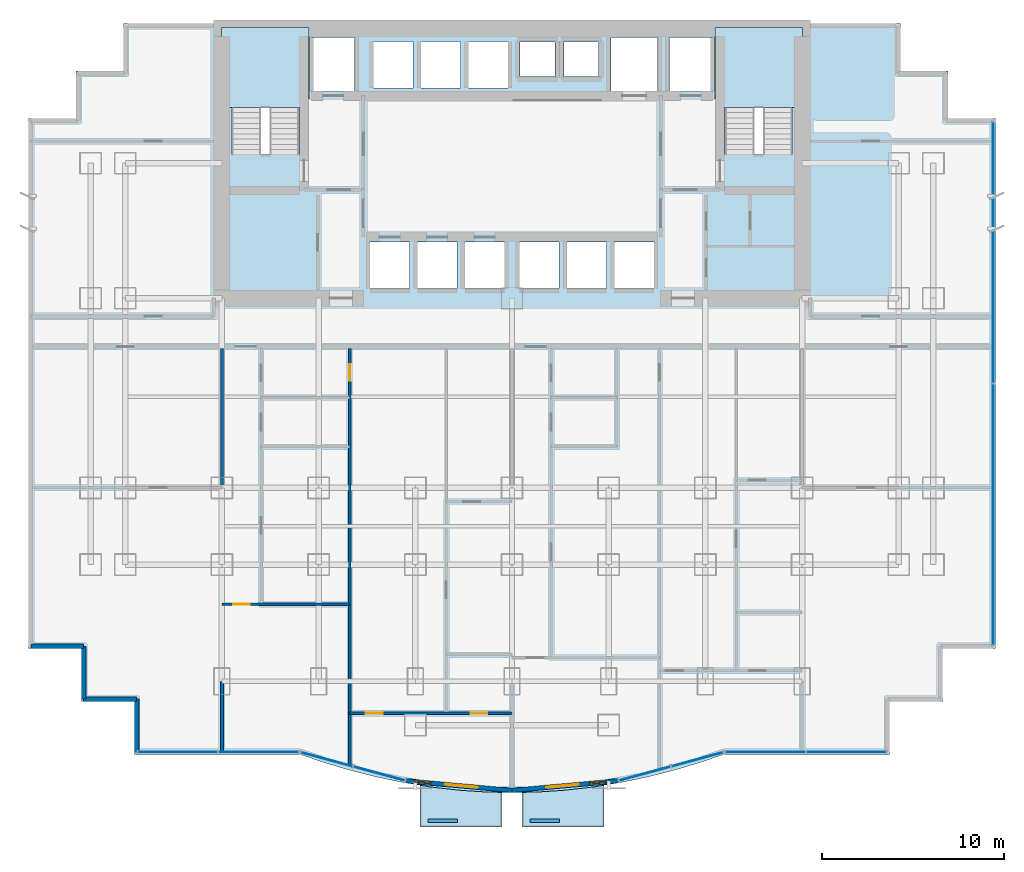
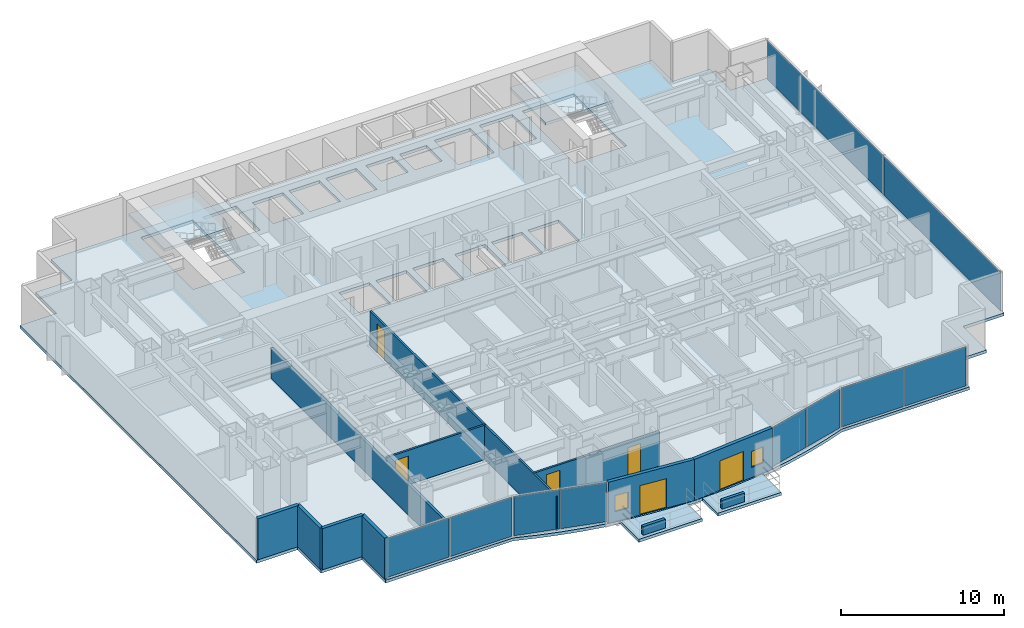
# One storey, part 6 of 12: 12 walls, 10 plates, 6 doors, 5 slabs, 2 windows, 8 openings, 7 elements without a shape of their own.
"""IFC4 building model written with IfcOpenShell, lengths in metres."""

from ifc_helpers import new_model, si_unit, direction, frame, frame_2d, origin, origin_2d, place, context, subcontext, project, spatial, polyline, rectangle, outline, extrude, source, transform, mapped, material, layer, layer_set, type_object, element, fill, aggregate, save


model = new_model("IFC4")

# Units and contexts
model_context = context("Model", 3, precision=1e-05, world=origin(), true_north=direction((0.0, 1.0)))
body_context = subcontext(model_context, "Body", "Model", "MODEL_VIEW")
ifc_project = project(units=[si_unit("LENGTHUNIT", "METRE"), si_unit("AREAUNIT", "SQUARE_METRE"), si_unit("VOLUMEUNIT", "CUBIC_METRE"), si_unit("PLANEANGLEUNIT", "RADIAN"), si_unit("MASSUNIT", "GRAM", prefix="KILO")], contexts=[model_context])

# Site, building, storey
site_placement = place(None, origin())
site = spatial("IfcSite", under=ifc_project, at=site_placement, CompositionType="ELEMENT")
building_placement = place(site_placement, origin())
building = spatial("IfcBuilding", under=site, at=building_placement, Name="Qianlan Lanfeng Residences", CompositionType="ELEMENT")
storey_placement = place(building_placement, frame((0.0, 0.0, 44.0)))
storey = spatial("IfcBuildingStorey", under=building, at=storey_placement, Name="L11", CompositionType="ELEMENT", Elevation=44.0)

# Slabs
ifc_material_1 = material(Name="Concrete C42", Category="concrete")
ifc_layer_1 = layer(ifc_material_1, 0.219970703125)
ifc_layer_set_1 = layer_set([ifc_layer_1], Name="Concrete C42")
slab_type_1 = type_object("IfcSlabType", Name="S-BAL-220", PredefinedType="FLOOR", material=ifc_layer_set_1)
slab_1_placement = place(storey_placement, frame((0.0, 0.0, -0.219970703125)))
element("IfcSlab", 1, at=slab_1_placement, inside=storey, type_object=slab_type_1, Name="L11 Planted Tree Balcony Slab SB-W", PredefinedType="FLOOR", context=body_context, shape_type="SweptSolid", body=[
    extrude(outline(polyline([(25.949951171875, -1.887939453125), (25.0439453125, -1.866943359375), (23.5869140625, -1.76904296875), (22.131103515625, -1.60498046875), (21.449951171875, -1.4970703125), (21.449951171875, -3.800048828125), (25.949951171875, -3.800048828125), (25.949951171875, -1.887939453125)])), origin(), (0.0, 0.0, 1.0), 0.219970703125),
])
slab_2_placement = place(storey_placement, frame((0.0, 0.0, -0.219970703125)))
element("IfcSlab", 2, at=slab_2_placement, inside=storey, type_object=slab_type_1, Name="L11 Planted Tree Balcony Slab SB-E", PredefinedType="FLOOR", context=body_context, shape_type="SweptSolid", body=[
    extrude(outline(polyline([(31.550048828125, -1.4970703125), (30.868896484375, -1.60498046875), (29.412109375, -1.76904296875), (27.9560546875, -1.866943359375), (27.050048828125, -1.887939453125), (27.050048828125, -3.800048828125), (31.550048828125, -3.800048828125), (31.550048828125, -1.4970703125)])), origin(), (0.0, 0.0, 1.0), 0.219970703125),
])
ifc_layer_2 = layer(ifc_material_1, 0.219970703125)
ifc_layer_set_2 = layer_set([ifc_layer_2], Name="Concrete C42")
slab_type_2 = type_object("IfcSlabType", Name="S-FL-220", PredefinedType="FLOOR", material=ifc_layer_set_2)
slab_3_placement = place(storey_placement, frame((0.0, 0.0, -0.219970703125)))
element("IfcSlab", 3, at=slab_3_placement, inside=storey, type_object=slab_type_2, Name="L11 Structural Floor Slab", PredefinedType="FLOOR", context=body_context, shape_type="SweptSolid", body=[
    extrude(outline(polyline([(0.0, 6.0), (2.89990234375, 6.0), (2.89990234375, 3.10009765625), (5.800048828125, 3.10009765625), (5.800048828125, 0.199951171875), (14.85009765625, 0.199951171875), (16.305908203125, -0.2919921875), (17.761962890625, -0.718994140625), (19.218994140625, -1.080078125), (20.675048828125, -1.375), (22.131103515625, -1.60498046875), (23.5869140625, -1.76904296875), (25.0439453125, -1.866943359375), (26.5, -1.89990234375), (27.9560546875, -1.866943359375), (29.412109375, -1.76904296875), (30.868896484375, -1.60498046875), (32.324951171875, -1.375), (33.781005859375, -1.080078125), (35.237060546875, -0.718994140625), (36.694091796875, -0.2919921875), (38.14990234375, 0.199951171875), (47.199951171875, 0.199951171875), (47.199951171875, 3.10009765625), (50.10009765625, 3.10009765625), (50.10009765625, 6.0), (53.0, 6.0), (53.0, 35.050048828125), (50.39990234375, 35.050048828125), (50.39990234375, 37.64990234375), (47.800048828125, 37.64990234375), (47.800048828125, 40.25), (5.199951171875, 40.25), (5.199951171875, 37.64990234375), (2.60009765625, 37.64990234375), (2.60009765625, 35.050048828125), (0.0, 35.050048828125), (0.0, 6.0)]), holes=[polyline([(11.139892578125, 33.080078125), (11.139892578125, 39.5), (14.820068359375, 39.5), (14.820068359375, 33.080078125), (11.139892578125, 33.080078125)]), polyline([(38.179931640625, 33.080078125), (38.179931640625, 39.5), (41.860107421875, 39.5), (41.860107421875, 33.080078125), (38.179931640625, 33.080078125)]), polyline([(15.52001953125, 36.52001953125), (15.52001953125, 39.47998046875), (17.8798828125, 39.47998046875), (17.8798828125, 36.52001953125), (15.52001953125, 36.52001953125)]), polyline([(35.1201171875, 36.52001953125), (35.1201171875, 39.47998046875), (37.47998046875, 39.47998046875), (37.47998046875, 36.52001953125), (35.1201171875, 36.52001953125)]), polyline([(31.919921875, 36.52001953125), (31.919921875, 39.47998046875), (34.47998046875, 39.47998046875), (34.47998046875, 36.52001953125), (31.919921875, 36.52001953125)]), polyline([(18.719970703125, 25.719970703125), (18.719970703125, 28.280029296875), (20.8798828125, 28.280029296875), (20.8798828125, 25.719970703125), (18.719970703125, 25.719970703125)]), polyline([(21.320068359375, 25.719970703125), (21.320068359375, 28.280029296875), (23.47998046875, 28.280029296875), (23.47998046875, 25.719970703125), (21.320068359375, 25.719970703125)]), polyline([(23.919921875, 25.719970703125), (23.919921875, 28.280029296875), (26.080078125, 28.280029296875), (26.080078125, 25.719970703125), (23.919921875, 25.719970703125)]), polyline([(26.919921875, 25.719970703125), (26.919921875, 28.280029296875), (29.080078125, 28.280029296875), (29.080078125, 25.719970703125), (26.919921875, 25.719970703125)]), polyline([(29.52001953125, 25.719970703125), (29.52001953125, 28.280029296875), (31.679931640625, 28.280029296875), (31.679931640625, 25.719970703125), (29.52001953125, 25.719970703125)]), polyline([(32.1201171875, 25.719970703125), (32.1201171875, 28.280029296875), (34.280029296875, 28.280029296875), (34.280029296875, 25.719970703125), (32.1201171875, 25.719970703125)]), polyline([(18.919921875, 36.719970703125), (18.919921875, 39.280029296875), (21.080078125, 39.280029296875), (21.080078125, 36.719970703125), (18.919921875, 36.719970703125)]), polyline([(21.52001953125, 36.719970703125), (21.52001953125, 39.280029296875), (23.679931640625, 39.280029296875), (23.679931640625, 36.719970703125), (21.52001953125, 36.719970703125)]), polyline([(24.1201171875, 36.719970703125), (24.1201171875, 39.280029296875), (26.280029296875, 39.280029296875), (26.280029296875, 36.719970703125), (24.1201171875, 36.719970703125)]), polyline([(26.949951171875, 37.35009765625), (26.949951171875, 39.25), (28.85009765625, 39.25), (28.85009765625, 37.35009765625), (26.949951171875, 37.35009765625)]), polyline([(29.35009765625, 37.35009765625), (29.35009765625, 39.25), (31.25, 39.25), (31.25, 37.35009765625), (29.35009765625, 37.35009765625)])]), origin(), (0.0, 0.0, 1.0), 0.219970703125),
])

# Stair, slab
stair_type = type_object("IfcStairType", Name="STR-MAIN", PredefinedType="HALF_TURN_STAIR", material=ifc_material_1)
stair_1_placement = place(storey_placement, origin())
stair_1 = element("IfcStair", 4, at=stair_1_placement, inside=storey, type_object=stair_type, Name="L11 Exit Stair ST-1", PredefinedType="HALF_TURN_STAIR")
ifc_layer_3 = layer(ifc_material_1, 0.179931640625)
ifc_layer_set_3 = layer_set([ifc_layer_3], Name="Concrete C42")
slab_type_3 = type_object("IfcSlabType", Name="S-LND-180", PredefinedType="LANDING", material=ifc_layer_set_3)
slab_4_placement = place(storey_placement, frame((0.0, 0.0, 1.449951171875)))
slab_4 = element("IfcSlab", 5, at=slab_4_placement, type_object=slab_type_3, Name="ST-1 landing 1", PredefinedType="LANDING", context=body_context, shape_type="SweptSolid", body=[
    extrude(outline(polyline([(10.580078125, 35.659912109375), (15.3798828125, 35.659912109375), (15.3798828125, 40.050048828125), (10.580078125, 40.050048828125), (10.580078125, 35.659912109375)])), origin(), (0.0, 0.0, 1.0), 0.199951171875),
])
aggregate(stair_1, [slab_4])

stair_2_placement = place(storey_placement, origin())
stair_2 = element("IfcStair", 6, at=stair_2_placement, inside=storey, type_object=stair_type, Name="L11 Exit Stair ST-2", PredefinedType="HALF_TURN_STAIR")
slab_5_placement = place(storey_placement, frame((0.0, 0.0, 1.449951171875)))
slab_5 = element("IfcSlab", 7, at=slab_5_placement, type_object=slab_type_3, Name="ST-2 landing 1", PredefinedType="LANDING", context=body_context, shape_type="SweptSolid", body=[
    extrude(outline(polyline([(37.6201171875, 35.659912109375), (42.419921875, 35.659912109375), (42.419921875, 40.050048828125), (37.6201171875, 40.050048828125), (37.6201171875, 35.659912109375)])), origin(), (0.0, 0.0, 1.0), 0.199951171875),
])
aggregate(stair_2, [slab_5])

# Curtain wall, plate
ifc_material_2 = material(Name="Anodised Bronze Aluminium 6063-T6", Category="aluminium")
ifc_layer_4 = layer(ifc_material_2, 0.219970703125)
ifc_layer_set_4 = layer_set([ifc_layer_4], Name="Anodised Bronze Aluminium 6063-T6")
curtain_wall_type = type_object("IfcCurtainWallType", Name="CW-02", PredefinedType="NOTDEFINED", material=ifc_layer_set_4)
curtain_wall_1_placement = place(storey_placement, origin())
curtain_wall_1 = element("IfcCurtainWall", 8, at=curtain_wall_1_placement, inside=storey, type_object=curtain_wall_type, Name="L11 Unitised Curtain Wall CWR-L11-02 (CW-02)", PredefinedType="NOTDEFINED")
ifc_material_3 = material(Name="Dark Bronze Tinted Insulated Glass", Category="glass")
ifc_layer_5 = layer(ifc_material_3, 0.0380859375)
ifc_layer_set_5 = layer_set([ifc_layer_5], Name="Dark Bronze Tinted Insulated Glass")
plate_type_1 = type_object("IfcPlateType", Name="PNL-GLZ-BRZ", PredefinedType="CURTAIN_PANEL", material=ifc_layer_set_5)
shared_shape_1 = source(origin(), body_context, "Body", "SweptSolid", [
    extrude(rectangle(XDim=2.89990234375, YDim=0.0380859375, at=origin_2d()), origin(), (0.0, 0.0, 1.0), 2.922119140625),
])
plate_1_placement = place(storey_placement, frame((16.345703125, -0.07958984375, 0.0791015625), z_axis=(0.0, 0.0, 1.0), x_axis=(0.9652627173, -0.261281240412, 0.0)))
plate_1 = element("IfcPlate", 9, at=plate_1_placement, type_object=plate_type_1, Name="CWR-L11-02 Curtain Panel 1", PredefinedType="CURTAIN_PANEL", context=body_context, shape_type="MappedRepresentation", body=[
    mapped(shared_shape_1, transform((0.0, 0.0, 0.0), scale=1.0)),
])

# Curtain wall, plates
curtain_wall_2_placement = place(storey_placement, origin())
curtain_wall_2 = element("IfcCurtainWall", 10, at=curtain_wall_2_placement, inside=storey, type_object=curtain_wall_type, Name="L11 Unitised Curtain Wall CWR-L11-03 (CW-02)", PredefinedType="NOTDEFINED")
plate_2_placement = place(storey_placement, frame((33.77978515625, -0.857421875, 0.0791015625), z_axis=(0.0, 0.0, 1.0), x_axis=(0.9652627173, 0.261281240412, 0.0)))
plate_2 = element("IfcPlate", 11, at=plate_2_placement, type_object=plate_type_1, Name="CWR-L11-03 Curtain Panel 1", PredefinedType="CURTAIN_PANEL", context=body_context, shape_type="MappedRepresentation", body=[
    mapped(shared_shape_1, transform((0.0, 0.0, 0.0), scale=1.0)),
])
plate_3_placement = place(storey_placement, frame((36.654296875, -0.07958984375, 0.0791015625), z_axis=(0.0, 0.0, 1.0), x_axis=(0.9652627173, 0.261281240412, 0.0)))
plate_3 = element("IfcPlate", 12, at=plate_3_placement, type_object=plate_type_1, Name="CWR-L11-03 Curtain Panel 2", PredefinedType="CURTAIN_PANEL", context=body_context, shape_type="MappedRepresentation", body=[
    mapped(shared_shape_1, transform((0.0, 0.0, 0.0), scale=1.0)),
])
aggregate(curtain_wall_2, [plate_2, plate_3])

# Plate
ifc_material_4 = material(Name="Perforated Anodised Bronze Aluminium Panel", Category="aluminium")
ifc_layer_6 = layer(ifc_material_4, 0.0419921875)
ifc_layer_set_6 = layer_set([ifc_layer_6], Name="Perforated Anodised Bronze Aluminium Panel")
plate_type_2 = type_object("IfcPlateType", Name="PNL-PRF-BRZ", PredefinedType="CURTAIN_PANEL", material=ifc_layer_set_6)
shared_shape_2 = source(origin(), body_context, "Body", "SweptSolid", [
    extrude(rectangle(XDim=2.89990234375, YDim=0.0419921875, at=origin_2d()), origin(), (0.0, 0.0, 1.0), 2.922119140625),
])
plate_4_placement = place(storey_placement, frame((19.22021484375, -0.857421875, 0.0791015625), z_axis=(0.0, 0.0, 1.0), x_axis=(0.9652627173, -0.261281240412, 0.0)))
plate_4 = element("IfcPlate", 13, at=plate_4_placement, type_object=plate_type_2, Name="CWR-L11-02 Curtain Panel 2", PredefinedType="CURTAIN_PANEL", context=body_context, shape_type="MappedRepresentation", body=[
    mapped(shared_shape_2, transform((0.0, 0.0, 0.0), scale=1.0)),
])

aggregate(curtain_wall_1, [plate_1, plate_4])

# Curtain wall, plates
curtain_wall_3_placement = place(storey_placement, origin())
curtain_wall_3 = element("IfcCurtainWall", 14, at=curtain_wall_3_placement, inside=storey, type_object=curtain_wall_type, Name="L11 Unitised Curtain Wall CWR-L11-01 (CW-02)", PredefinedType="NOTDEFINED")
shared_shape_3 = source(origin(), body_context, "Body", "SweptSolid", [
    extrude(rectangle(XDim=4.35693359375, YDim=0.0380859375, at=origin_2d()), origin(), (0.0, 0.0, 1.0), 2.922119140625),
])
plate_5_placement = place(storey_placement, frame((8.177490234375, 0.320068359375, 0.0791015625), z_axis=(0.0, 0.0, 1.0), x_axis=(1.0, 0.0, 0.0)))
plate_5 = element("IfcPlate", 15, at=plate_5_placement, type_object=plate_type_1, Name="CWR-L11-01 Curtain Panel 1", PredefinedType="CURTAIN_PANEL", context=body_context, shape_type="MappedRepresentation", body=[
    mapped(shared_shape_3, transform((0.0, 0.0, 0.0), scale=1.0)),
])
plate_6_placement = place(storey_placement, frame((12.612548828125, 0.320068359375, 0.0791015625), z_axis=(0.0, 0.0, 1.0), x_axis=(1.0, 0.0, 0.0)))
plate_6 = element("IfcPlate", 16, at=plate_6_placement, type_object=plate_type_1, Name="CWR-L11-01 Curtain Panel 2", PredefinedType="CURTAIN_PANEL", context=body_context, shape_type="MappedRepresentation", body=[
    mapped(shared_shape_3, transform((0.0, 0.0, 0.0), scale=1.0)),
])
aggregate(curtain_wall_3, [plate_5, plate_6])

curtain_wall_4_placement = place(storey_placement, origin())
curtain_wall_4 = element("IfcCurtainWall", 17, at=curtain_wall_4_placement, inside=storey, type_object=curtain_wall_type, Name="L11 Unitised Curtain Wall CWR-L11-04 (CW-02)", PredefinedType="NOTDEFINED")
plate_7_placement = place(storey_placement, frame((40.387451171875, 0.320068359375, 0.0791015625), z_axis=(0.0, 0.0, 1.0), x_axis=(1.0, 0.0, 0.0)))
plate_7 = element("IfcPlate", 18, at=plate_7_placement, type_object=plate_type_1, Name="CWR-L11-04 Curtain Panel 1", PredefinedType="CURTAIN_PANEL", context=body_context, shape_type="MappedRepresentation", body=[
    mapped(shared_shape_3, transform((0.0, 0.0, 0.0), scale=1.0)),
])
shared_shape_4 = source(origin(), body_context, "Body", "SweptSolid", [
    extrude(rectangle(XDim=4.35693359375, YDim=0.0419921875, at=origin_2d()), origin(), (0.0, 0.0, 1.0), 2.922119140625),
])
plate_8_placement = place(storey_placement, frame((44.822509765625, 0.320068359375, 0.0791015625), z_axis=(0.0, 0.0, 1.0), x_axis=(1.0, 0.0, 0.0)))
plate_8 = element("IfcPlate", 19, at=plate_8_placement, type_object=plate_type_2, Name="CWR-L11-04 Curtain Panel 2", PredefinedType="CURTAIN_PANEL", context=body_context, shape_type="MappedRepresentation", body=[
    mapped(shared_shape_4, transform((0.0, 0.0, 0.0), scale=1.0)),
])
aggregate(curtain_wall_4, [plate_7, plate_8])

curtain_wall_5_placement = place(storey_placement, origin())
curtain_wall_5 = element("IfcCurtainWall", 20, at=curtain_wall_5_placement, inside=storey, type_object=curtain_wall_type, Name="L11 Unitised Curtain Wall CWR-L11-05 (CW-02)", PredefinedType="NOTDEFINED")
shared_shape_5 = source(origin(), body_context, "Body", "SweptSolid", [
    extrude(rectangle(XDim=14.287109375, YDim=0.0380859375, at=origin_2d()), origin(), (0.0, 0.0, 1.0), 2.922119140625),
])
plate_9_placement = place(storey_placement, frame((52.8798828125, 13.342529296875, 0.0791015625), z_axis=(0.0, 0.0, 1.0), x_axis=(0.0, 1.0, 0.0)))
plate_9 = element("IfcPlate", 21, at=plate_9_placement, type_object=plate_type_1, Name="CWR-L11-05 Curtain Panel 1", PredefinedType="CURTAIN_PANEL", context=body_context, shape_type="MappedRepresentation", body=[
    mapped(shared_shape_5, transform((0.0, 0.0, 0.0), scale=1.0)),
])
plate_10_placement = place(storey_placement, frame((52.8798828125, 27.70751953125, 0.0791015625), z_axis=(0.0, 0.0, 1.0), x_axis=(0.0, 1.0, 0.0)))
plate_10 = element("IfcPlate", 22, at=plate_10_placement, type_object=plate_type_1, Name="CWR-L11-05 Curtain Panel 2", PredefinedType="CURTAIN_PANEL", context=body_context, shape_type="MappedRepresentation", body=[
    mapped(shared_shape_5, transform((0.0, 0.0, 0.0), scale=1.0)),
])
aggregate(curtain_wall_5, [plate_9, plate_10])

# Walls
ifc_layer_7 = layer(ifc_material_1, 0.239990234375)
ifc_layer_set_7 = layer_set([ifc_layer_7], Name="Concrete C42")
wall_type_1 = type_object("IfcWallType", Name="EW-240", PredefinedType="SOLIDWALL", material=ifc_layer_set_7)
wall_1_placement = place(storey_placement, frame((0.1201171875, 6.1201171875, 0.0), z_axis=(0.0, 0.0, 1.0), x_axis=(1.0, 0.0, 0.0)))
element("IfcWall", 23, at=wall_1_placement, inside=storey, type_object=wall_type_1, Name="L11 Exterior Facade Spandrel Wall 1", PredefinedType="SOLIDWALL", context=body_context, shape_type="SweptSolid", body=[
    extrude(rectangle(XDim=2.89990234375, YDim=0.239990234375, at=frame_2d((1.449951171875, 0.0))), origin(), (0.0, 0.0, 1.0), 3.080078125),
])
wall_2_placement = place(storey_placement, frame((3.02001953125, 6.1201171875, 0.0), z_axis=(0.0, 0.0, 1.0), x_axis=(0.0, -1.0, 0.0)))
element("IfcWall", 24, at=wall_2_placement, inside=storey, type_object=wall_type_1, Name="L11 Exterior Facade Spandrel Wall 2", PredefinedType="SOLIDWALL", context=body_context, shape_type="SweptSolid", body=[
    extrude(rectangle(XDim=2.900146484375, YDim=0.239990234375, at=frame_2d((1.4501953125, 0.0))), origin(), (0.0, 0.0, 1.0), 3.080078125),
])
for number, where, z_axis, x_axis, name in (
    (25, (3.02001953125, 3.219970703125, 0.0), (0.0, 0.0, 1.0), (1.0, 0.0, 0.0), "L11 Exterior Facade Spandrel Wall 3"),
    (26, (5.919921875, 3.219970703125, 0.0), (0.0, 0.0, 1.0), (0.0, -1.0, 0.0), "L11 Exterior Facade Spandrel Wall 4"),
):
    element("IfcWall", number, at=place(storey_placement, frame(where, z_axis=z_axis, x_axis=x_axis)), inside=storey, type_object=wall_type_1, Name=name, PredefinedType="SOLIDWALL", context=body_context, shape_type="SweptSolid", body=[
        extrude(rectangle(XDim=2.89990234375, YDim=0.239990234375, at=frame_2d((1.449951171875, 0.0))), origin(), (0.0, 0.0, 1.0), 3.080078125),
    ])

# Wall, openings, door, window
wall_3_placement = place(storey_placement, frame((20.696044921875, -1.257080078125, 0.0), z_axis=(0.0, 0.0, 1.0), x_axis=(0.995965344947, -0.089738685436, 0.0)))
wall_3 = element("IfcWall", 27, at=wall_3_placement, inside=storey, type_object=wall_type_1, Name="L11 Terrace/Balcony Access Exterior Wall 5", PredefinedType="SOLIDWALL", context=body_context, shape_type="SweptSolid", body=[
    extrude(rectangle(XDim=5.827392578125, YDim=0.239990234375, at=frame_2d((2.91357421875, 0.0))), origin(), (0.0, 0.0, 1.0), 3.080078125),
])
opening_1_placement = place(wall_3_placement, frame((2.14794921875, 0.0, 0.0)))
opening_1 = element("IfcOpeningElement", 28, at=opening_1_placement, cuts=wall_3, Name="Opening L11-D-SB-W", PredefinedType="OPENING", context=body_context, shape_type="SweptSolid", body=[
    extrude(rectangle(XDim=1.800048828125, YDim=2.199951171875, at=frame_2d((0.89990234375, 1.10009765625))), frame((0.0, 0.1298828125, 0.0), z_axis=(0.0, -1.0, 0.0), x_axis=(1.0, 0.0, 0.0)), (0.0, 0.0, 1.0), 0.260009765625),
])
opening_2_placement = place(wall_3_placement, frame((0.449951171875, 0.0, 0.75)))
opening_2 = element("IfcOpeningElement", 29, at=opening_2_placement, cuts=wall_3, Name="Opening W-04", PredefinedType="OPENING", context=body_context, shape_type="SweptSolid", body=[
    extrude(rectangle(XDim=0.89990234375, YDim=1.199951171875, at=frame_2d((0.449951171875, 0.60009765625))), frame((0.0, 0.1298828125, 0.0), z_axis=(0.0, -1.0, 0.0), x_axis=(1.0, 0.0, 0.0)), (0.0, 0.0, 1.0), 0.260009765625),
])
ifc_material_5 = material(Name="Anodised Bronze Aluminium Framed Glass", Category="aluminium")
door_type_1 = type_object("IfcDoorType", Name="DT-BAL1", OperationType="NOTDEFINED", PredefinedType="DOOR", material=ifc_material_5)
door_1_placement = place(opening_1_placement, frame((1.800048828125, 0.0, 0.0), z_axis=(0.0, 0.0, 1.0), x_axis=(-1.0, 0.0, 0.0)))
door_1 = element("IfcDoor", 30, at=door_1_placement, inside=storey, type_object=door_type_1, Name="L11 Exterior Access Door SB-W", OperationType="DOUBLE_DOOR_SLIDING", OverallHeight=2.199951171875, OverallWidth=1.800048828125, PredefinedType="DOOR", context=body_context, shape_type="SweptSolid", body=[
    extrude(rectangle(XDim=1.800048828125, YDim=2.199951171875, at=frame_2d((0.89990234375, 1.10009765625))), frame((0.0, 0.02490234375, 0.0), z_axis=(0.0, -1.0, 0.0), x_axis=(1.0, 0.0, 0.0)), (0.0, 0.0, 1.0), 0.050048828125),
])
fill(opening_1, door_1)
ifc_material_6 = material(Name="Anodised Bronze Aluminium Framed Double Glazing", Category="aluminium")
window_type = type_object("IfcWindowType", Name="W-04", PartitioningType="SINGLE_PANEL", PredefinedType="WINDOW", material=ifc_material_6)
window_1_placement = place(opening_2_placement, origin())
window_1 = element("IfcWindow", 31, at=window_1_placement, inside=storey, type_object=window_type, Name="L11 Exterior Window W-04", OverallHeight=1.199951171875, OverallWidth=0.89990234375, PartitioningType="SINGLE_PANEL", PredefinedType="WINDOW", context=body_context, shape_type="SweptSolid", body=[
    extrude(rectangle(XDim=0.89990234375, YDim=1.199951171875, at=frame_2d((0.449951171875, 0.60009765625))), frame((0.0, 0.030029296875, 0.0), z_axis=(0.0, -1.0, 0.0), x_axis=(1.0, 0.0, 0.0)), (0.0, 0.0, 1.0), 0.06005859375),
])
fill(opening_2, window_1)

wall_4_placement = place(storey_placement, frame((26.5, -1.780029296875, 0.0), z_axis=(0.0, 0.0, 1.0), x_axis=(0.995965344947, 0.089738685436, 0.0)))
wall_4 = element("IfcWall", 32, at=wall_4_placement, inside=storey, type_object=wall_type_1, Name="L11 Terrace/Balcony Access Exterior Wall 6", PredefinedType="SOLIDWALL", context=body_context, shape_type="SweptSolid", body=[
    extrude(rectangle(XDim=5.827392578125, YDim=0.239990234375, at=frame_2d((2.91357421875, 0.0))), origin(), (0.0, 0.0, 1.0), 3.080078125),
])
opening_3_placement = place(wall_4_placement, frame((1.8798828125, 0.0, 0.0)))
opening_3 = element("IfcOpeningElement", 33, at=opening_3_placement, cuts=wall_4, Name="Opening L11-D-SB-E", PredefinedType="OPENING", context=body_context, shape_type="SweptSolid", body=[
    extrude(rectangle(XDim=1.800048828125, YDim=2.199951171875, at=frame_2d((0.89990234375, 1.10009765625))), frame((0.0, 0.1298828125, 0.0), z_axis=(0.0, -1.0, 0.0), x_axis=(1.0, 0.0, 0.0)), (0.0, 0.0, 1.0), 0.260009765625),
])
opening_4_placement = place(wall_4_placement, frame((4.263916015625, 0.0, 0.75)))
opening_4 = element("IfcOpeningElement", 34, at=opening_4_placement, cuts=wall_4, Name="Opening W-04", PredefinedType="OPENING", context=body_context, shape_type="SweptSolid", body=[
    extrude(rectangle(XDim=0.89990234375, YDim=1.199951171875, at=frame_2d((0.449951171875, 0.60009765625))), frame((0.0, 0.1298828125, 0.0), z_axis=(0.0, -1.0, 0.0), x_axis=(1.0, 0.0, 0.0)), (0.0, 0.0, 1.0), 0.260009765625),
])
door_2_placement = place(opening_3_placement, frame((1.800048828125, 0.0, 0.0), z_axis=(0.0, 0.0, 1.0), x_axis=(-1.0, 0.0, 0.0)))
door_2 = element("IfcDoor", 35, at=door_2_placement, inside=storey, type_object=door_type_1, Name="L11 Exterior Access Door SB-E", OperationType="DOUBLE_DOOR_SLIDING", OverallHeight=2.199951171875, OverallWidth=1.800048828125, PredefinedType="DOOR", context=body_context, shape_type="SweptSolid", body=[
    extrude(rectangle(XDim=1.800048828125, YDim=2.199951171875, at=frame_2d((0.89990234375, 1.10009765625))), frame((0.0, 0.02490234375, 0.0), z_axis=(0.0, -1.0, 0.0), x_axis=(1.0, 0.0, 0.0)), (0.0, 0.0, 1.0), 0.050048828125),
])
fill(opening_3, door_2)
window_2_placement = place(opening_4_placement, origin())
window_2 = element("IfcWindow", 36, at=window_2_placement, inside=storey, type_object=window_type, Name="L11 Exterior Window W-04", OverallHeight=1.199951171875, OverallWidth=0.89990234375, PartitioningType="SINGLE_PANEL", PredefinedType="WINDOW", context=body_context, shape_type="SweptSolid", body=[
    extrude(rectangle(XDim=0.89990234375, YDim=1.199951171875, at=frame_2d((0.449951171875, 0.60009765625))), frame((0.0, 0.030029296875, 0.0), z_axis=(0.0, -1.0, 0.0), x_axis=(1.0, 0.0, 0.0)), (0.0, 0.0, 1.0), 0.06005859375),
])
fill(opening_4, window_2)

# Walls
ifc_layer_8 = layer(ifc_material_1, 0.199951171875)
ifc_layer_set_8 = layer_set([ifc_layer_8], Name="Concrete C42")
wall_type_2 = type_object("IfcWallType", Name="PL-TREE-200", PredefinedType="PARAPET", material=ifc_layer_set_8)
for number, where, z_axis, x_axis, name in (
    (37, (21.89990234375, -3.449951171875, 0.0), (0.0, 0.0, 1.0), (1.0, 0.0, 0.0), "L11 Balcony Tree Planter Curb SB-W"),
    (38, (27.5, -3.449951171875, 0.0), (0.0, 0.0, 1.0), (1.0, 0.0, 0.0), "L11 Balcony Tree Planter Curb SB-E"),
):
    element("IfcWall", number, at=place(storey_placement, frame(where, z_axis=z_axis, x_axis=x_axis)), inside=storey, type_object=wall_type_2, Name=name, PredefinedType="PARAPET", context=body_context, shape_type="SweptSolid", body=[
        extrude(rectangle(XDim=1.60009765625, YDim=0.199951171875, at=frame_2d((0.800048828125, 0.0))), origin(), (0.0, 0.0, 1.0), 0.64990234375),
    ])

# Wall, opening, door
ifc_material_7 = material(Name="Moisture-Resistant Gypsum Partition 135 mm")
ifc_layer_9 = layer(ifc_material_7, 0.135009765625)
ifc_layer_set_9 = layer_set([ifc_layer_9], Name="Moisture-Resistant Gypsum Partition 135 mm")
wall_type_3 = type_object("IfcWallType", Name="PW-135", PredefinedType="PARTITIONING", material=ifc_layer_set_9)
wall_5_placement = place(storey_placement, frame((17.60009765625, -0.44189453125, 0.0), z_axis=(0.0, 0.0, 1.0), x_axis=(0.0, 1.0, 0.0)))
wall_5 = element("IfcWall", 39, at=wall_5_placement, inside=storey, type_object=wall_type_3, Name="L11 U01 Bay Spine Wall 1", PredefinedType="PARTITIONING", context=body_context, shape_type="SweptSolid", body=[
    extrude(rectangle(XDim=22.891845703125, YDim=0.135009765625, at=frame_2d((11.44580078125, 0.0))), origin(), (0.0, 0.0, 1.0), 2.570068359375),
])
opening_5_placement = place(wall_5_placement, frame((21.10693359375, 0.0, 0.0)))
opening_5 = element("IfcOpeningElement", 40, at=opening_5_placement, cuts=wall_5, Name="Opening L11-D16", PredefinedType="OPENING", context=body_context, shape_type="SweptSolid", body=[
    extrude(rectangle(XDim=0.919921875, YDim=2.14990234375, at=frame_2d((0.4599609375, 1.074951171875))), frame((0.0, 0.07763671875, 0.0), z_axis=(0.0, -1.0, 0.0), x_axis=(1.0, 0.0, 0.0)), (0.0, 0.0, 1.0), 0.155029296875),
])
ifc_material_8 = material(Name="Glazed Timber Kitchen/Study Door", Category="wood")
door_type_2 = type_object("IfcDoorType", Name="DT-INT", OperationType="NOTDEFINED", PredefinedType="DOOR", material=ifc_material_8)
door_3_placement = place(opening_5_placement, origin())
door_3 = element("IfcDoor", 41, at=door_3_placement, inside=storey, type_object=door_type_2, Name="L11 U01 Internal Hall Door L11-D16 (DT-INT)", OperationType="SINGLE_SWING_RIGHT", OverallHeight=2.14990234375, OverallWidth=0.919921875, PredefinedType="DOOR", context=body_context, shape_type="SweptSolid", body=[
    extrude(rectangle(XDim=0.919921875, YDim=2.14990234375, at=frame_2d((0.4599609375, 1.074951171875))), frame((0.0, 0.02490234375, 0.0), z_axis=(0.0, -1.0, 0.0), x_axis=(1.0, 0.0, 0.0)), (0.0, 0.0, 1.0), 0.050048828125),
])
fill(opening_5, door_3)

wall_6_placement = place(storey_placement, frame((10.60009765625, 8.419921875, 0.0), z_axis=(0.0, 0.0, 1.0), x_axis=(1.0, 0.0, 0.0)))
wall_6 = element("IfcWall", 42, at=wall_6_placement, inside=storey, type_object=wall_type_3, Name="L11 U01 Living Divider", PredefinedType="PARTITIONING", context=body_context, shape_type="SweptSolid", body=[
    extrude(rectangle(XDim=7.0, YDim=0.135009765625, at=frame_2d((3.5, 0.0))), origin(), (0.0, 0.0, 1.0), 2.570068359375),
])
opening_6_placement = place(wall_6_placement, frame((0.614990234375, 0.0, 0.0)))
opening_6 = element("IfcOpeningElement", 43, at=opening_6_placement, cuts=wall_6, Name="Opening L11-D17", PredefinedType="OPENING", context=body_context, shape_type="SweptSolid", body=[
    extrude(rectangle(XDim=0.919921875, YDim=2.14990234375, at=frame_2d((0.4599609375, 1.074951171875))), frame((0.0, 0.07763671875, 0.0), z_axis=(0.0, -1.0, 0.0), x_axis=(1.0, 0.0, 0.0)), (0.0, 0.0, 1.0), 0.155029296875),
])
door_4_placement = place(opening_6_placement, frame((0.919921875, 0.0, 0.0), z_axis=(0.0, 0.0, 1.0), x_axis=(-1.0, 0.0, 0.0)))
door_4 = element("IfcDoor", 44, at=door_4_placement, inside=storey, type_object=door_type_2, Name="L11 U01 Living Passage Door L11-D17 (DT-INT)", OperationType="SINGLE_SWING_RIGHT", OverallHeight=2.14990234375, OverallWidth=0.919921875, PredefinedType="DOOR", context=body_context, shape_type="SweptSolid", body=[
    extrude(rectangle(XDim=0.919921875, YDim=2.14990234375, at=frame_2d((0.4599609375, 1.074951171875))), frame((0.0, 0.02490234375, 0.0), z_axis=(0.0, -1.0, 0.0), x_axis=(1.0, 0.0, 0.0)), (0.0, 0.0, 1.0), 0.050048828125),
])
fill(opening_6, door_4)

# Wall, openings, doors
wall_7_placement = place(storey_placement, frame((17.60009765625, 2.450927734375, 0.0), z_axis=(0.0, 0.0, 1.0), x_axis=(1.0, 0.0, 0.0)))
wall_7 = element("IfcWall", 45, at=wall_7_placement, inside=storey, type_object=wall_type_3, Name="L11 U01 Master Bedroom North Wall", PredefinedType="PARTITIONING", context=body_context, shape_type="SweptSolid", body=[
    extrude(rectangle(XDim=8.89990234375, YDim=0.135009765625, at=frame_2d((4.449951171875, 0.0))), origin(), (0.0, 0.0, 1.0), 2.570068359375),
])
opening_7_placement = place(wall_7_placement, frame((0.875, 0.0, 0.0)))
opening_7 = element("IfcOpeningElement", 46, at=opening_7_placement, cuts=wall_7, Name="Opening L11-D21", PredefinedType="OPENING", context=body_context, shape_type="SweptSolid", body=[
    extrude(rectangle(XDim=0.949951171875, YDim=2.14990234375, at=frame_2d((0.47509765625, 1.074951171875))), frame((0.0, 0.07763671875, 0.0), z_axis=(0.0, -1.0, 0.0), x_axis=(1.0, 0.0, 0.0)), (0.0, 0.0, 1.0), 0.155029296875),
])
opening_8_placement = place(wall_7_placement, frame((6.64990234375, 0.0, 0.0)))
opening_8 = element("IfcOpeningElement", 47, at=opening_8_placement, cuts=wall_7, Name="Opening L11-D22", PredefinedType="OPENING", context=body_context, shape_type="SweptSolid", body=[
    extrude(rectangle(XDim=0.89990234375, YDim=2.14990234375, at=frame_2d((0.449951171875, 1.074951171875))), frame((0.0, 0.07763671875, 0.0), z_axis=(0.0, -1.0, 0.0), x_axis=(1.0, 0.0, 0.0)), (0.0, 0.0, 1.0), 0.155029296875),
])
ifc_material_9 = material(Name="Painted Solid-Core Timber Leaf", Category="wood")
door_type_3 = type_object("IfcDoorType", Name="DT-BED", OperationType="NOTDEFINED", PredefinedType="DOOR", material=ifc_material_9)
door_5_placement = place(opening_7_placement, origin())
door_5 = element("IfcDoor", 48, at=door_5_placement, inside=storey, type_object=door_type_3, Name="L11 U01 Master Bedroom Door L11-D21 (DT-BED)", OperationType="SINGLE_SWING_RIGHT", OverallHeight=2.14990234375, OverallWidth=0.949951171875, PredefinedType="DOOR", context=body_context, shape_type="SweptSolid", body=[
    extrude(rectangle(XDim=0.949951171875, YDim=2.14990234375, at=frame_2d((0.47509765625, 1.074951171875))), frame((0.0, 0.02490234375, 0.0), z_axis=(0.0, -1.0, 0.0), x_axis=(1.0, 0.0, 0.0)), (0.0, 0.0, 1.0), 0.050048828125),
])
fill(opening_7, door_5)
ifc_material_10 = material(Name="Moisture-Resistant Timber Leaf", Category="wood")
door_type_4 = type_object("IfcDoorType", Name="DT-WC", OperationType="NOTDEFINED", PredefinedType="DOOR", material=ifc_material_10)
door_6_placement = place(opening_8_placement, origin())
door_6 = element("IfcDoor", 49, at=door_6_placement, inside=storey, type_object=door_type_4, Name="L11 U01 En-Suite Bathroom Door L11-D22 (DT-WC)", OperationType="SINGLE_SWING_RIGHT", OverallHeight=2.14990234375, OverallWidth=0.89990234375, PredefinedType="DOOR", context=body_context, shape_type="SweptSolid", body=[
    extrude(rectangle(XDim=0.89990234375, YDim=2.14990234375, at=frame_2d((0.449951171875, 1.074951171875))), frame((0.0, 0.02490234375, 0.0), z_axis=(0.0, -1.0, 0.0), x_axis=(1.0, 0.0, 0.0)), (0.0, 0.0, 1.0), 0.050048828125),
])
fill(opening_8, door_6)

# Wall
ifc_material_11 = material(Name="Double-Layer Acoustic Gypsum Stud Wall 180 mm")
ifc_layer_10 = layer(ifc_material_11, 0.179931640625)
ifc_layer_set_10 = layer_set([ifc_layer_10], Name="Double-Layer Acoustic Gypsum Stud Wall 180 mm")
wall_type_4 = type_object("IfcWallType", Name="PW-180", PredefinedType="PARTITIONING", material=ifc_layer_set_10)
wall_8_placement = place(storey_placement, frame((10.60009765625, 0.419921875, 0.0), z_axis=(0.0, 0.0, 1.0), x_axis=(0.0, 1.0, 0.0)))
element("IfcWall", 50, at=wall_8_placement, inside=storey, type_object=wall_type_4, Name="L11 Wing Boundary Party Wall W0", PredefinedType="PARTITIONING", context=body_context, shape_type="SweptSolid", body=[
    extrude(rectangle(XDim=22.030029296875, YDim=0.179931640625, at=frame_2d((11.01513671875, 0.0))), origin(), (0.0, 0.0, 1.0), 2.27490234375),
])

save(model, "model.ifc")
